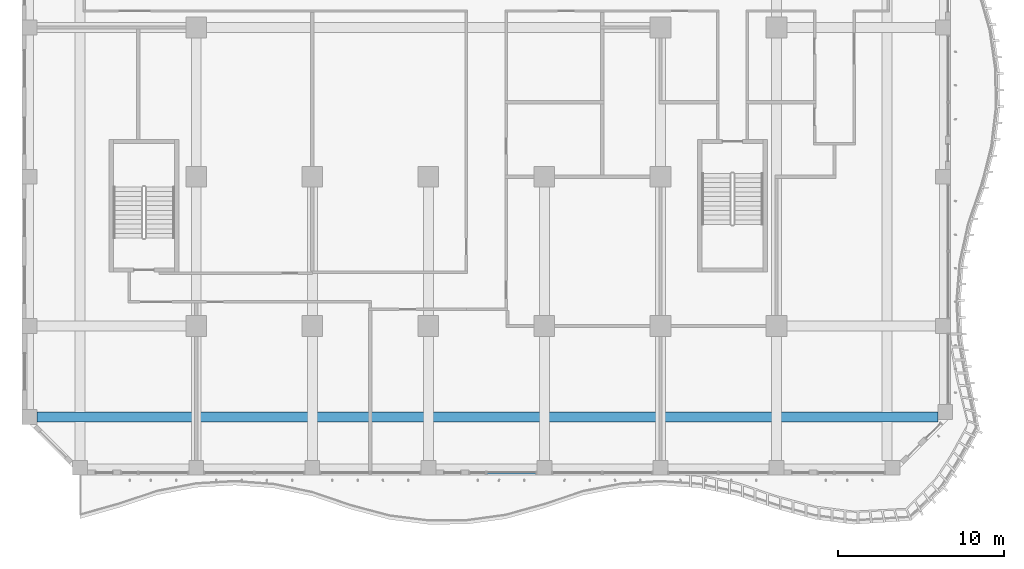
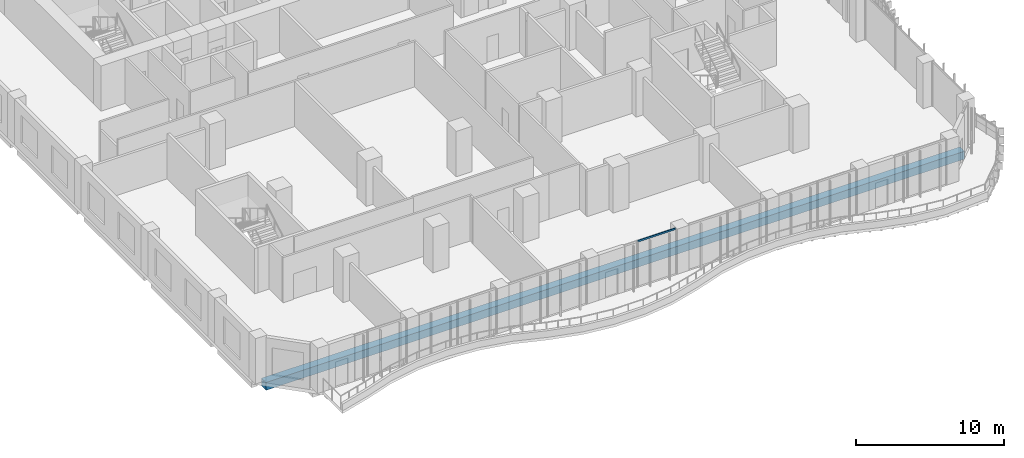
# One storey, part 3 of 28: 1 beam, 1 member, 1 element without a shape of its own.
"""IFC4 building model written with IfcOpenShell, lengths in metres."""

from ifc_helpers import new_model, si_unit, direction, frame, origin, origin_2d, place, context, subcontext, project, spatial, rectangle, extrude, source, transform, mapped, material, material_profile, profile_set, type_object, element, aggregate, save


model = new_model("IFC4")

# Units and contexts
model_context = context("Model", 3, precision=1e-05, world=origin(), true_north=direction((0.0, 1.0)))
body_context = subcontext(model_context, "Body", "Model", "MODEL_VIEW")
ifc_project = project(units=[si_unit("LENGTHUNIT", "METRE"), si_unit("AREAUNIT", "SQUARE_METRE"), si_unit("VOLUMEUNIT", "CUBIC_METRE"), si_unit("PLANEANGLEUNIT", "RADIAN"), si_unit("MASSUNIT", "GRAM", prefix="KILO")], contexts=[model_context])

# Site, building, storey
site_placement = place(None, origin())
site = spatial("IfcSite", under=ifc_project, at=site_placement, CompositionType="ELEMENT")
building_placement = place(site_placement, origin())
building = spatial("IfcBuilding", under=site, at=building_placement, Name="Kilnfold Tower and Market Hall", CompositionType="ELEMENT")
storey_placement = place(building_placement, frame((0.0, 0.0, 87.199951171875)))
storey = spatial("IfcBuildingStorey", under=building, at=storey_placement, Name="L20", CompositionType="ELEMENT", Elevation=87.199951171875)

# Beam
ifc_material_1 = material(Name="Concrete C45", Category="concrete")
ifc_material_profile_1 = material_profile(ifc_material_1, rectangle(XDim=0.60009765625, YDim=0.64990234375, at=origin_2d()), Name="RC 600x650")
ifc_profile_set_1 = profile_set([ifc_material_profile_1], Name="Concrete C45")
beam_type = type_object("IfcBeamType", Name="BEAM 600X650 C45", PredefinedType="BEAM", material=ifc_profile_set_1)
shared_shape_1 = source(origin(), body_context, "Body", "SweptSolid", [
    extrude(rectangle(XDim=0.60009765625, YDim=0.64990234375, at=origin_2d()), origin(), (0.0, 0.0, 1.0), 54.331787109375),
])
beam_placement = place(storey_placement, frame((-22.10009765625, -24.5, -0.60498046875), z_axis=(1.0, 0.0, 0.0), x_axis=(0.0, 1.0, 0.0)))
element("IfcBeam", 1, at=beam_placement, inside=storey, type_object=beam_type, Name="Beam BB650-B2.67", PredefinedType="BEAM", context=body_context, shape_type="MappedRepresentation", body=[
    mapped(shared_shape_1, transform((0.0, 0.0, 0.0))),
])

# Curtain wall, member
ifc_material_2 = material(Name="Aluminium and double glazing", Category="aluminium")
curtain_wall_type = type_object("IfcCurtainWallType", Name="CW OF1 VALLEY GLAZING", PredefinedType="NOTDEFINED", material=ifc_material_2)
curtain_wall_placement = place(storey_placement, origin())
curtain_wall = element("IfcCurtainWall", 2, at=curtain_wall_placement, inside=storey, type_object=curtain_wall_type, Name="Curtain wall CW1 L20 S", PredefinedType="NOTDEFINED")
ifc_material_3 = material(Name="Aluminium", Category="aluminium")
ifc_material_profile_2 = material_profile(ifc_material_3, rectangle(XDim=0.06005859375, YDim=0.139892578125, at=origin_2d()), Name="TRANSOM 60x140")
ifc_profile_set_2 = profile_set([ifc_material_profile_2], Name="Aluminium")
member_type = type_object("IfcMemberType", Name="TRANSOM 60X140", PredefinedType="USERDEFINED", material=ifc_profile_set_2)
shared_shape_2 = source(origin(), body_context, "Body", "SweptSolid", [
    extrude(rectangle(XDim=0.06005859375, YDim=0.139892578125, at=origin_2d()), origin(), (0.0, 0.0, 1.0), 2.929931640625),
])
member_placement = place(storey_placement, frame((5.06005859375, -27.85009765625, 3.68994140625), z_axis=(1.0, 0.0, 0.0), x_axis=(0.0, 1.0, 0.0)))
member = element("IfcMember", 3, at=member_placement, type_object=member_type, Name="CW1 transom 1.2", ObjectType="TRANSOM", PredefinedType="USERDEFINED", context=body_context, shape_type="MappedRepresentation", body=[
    mapped(shared_shape_2, transform((0.0, 0.0, 0.0))),
])
aggregate(curtain_wall, [member])

save(model, "model.ifc")
